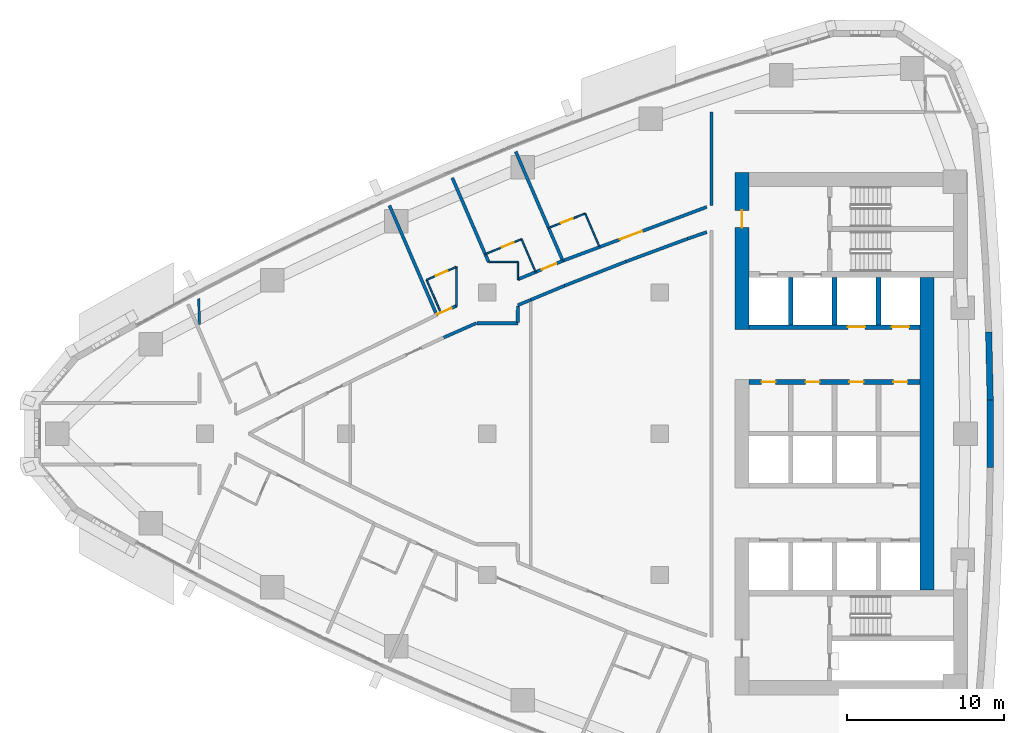
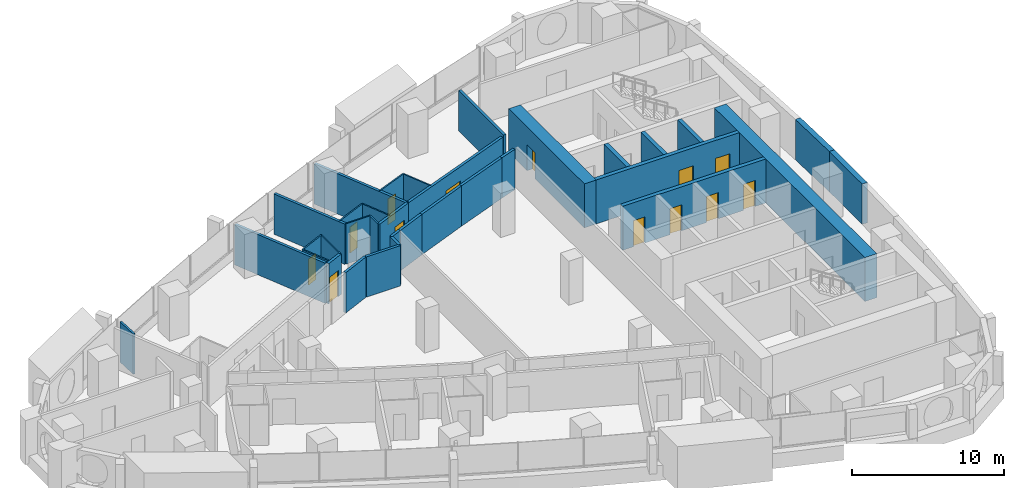
# One storey, part 11 of 17: 34 walls, 13 doors, 13 openings.
"""IFC4 building model written with IfcOpenShell, lengths in metres."""

from ifc_helpers import new_model, si_unit, direction, frame, frame_2d, origin, place, context, subcontext, project, spatial, polyline, rectangle, outline, extrude, material, layer, layer_set, type_object, element, fill, save


model = new_model("IFC4")

# Units and contexts
model_context = context("Model", 3, precision=1e-05, world=origin(), true_north=direction((0.0, 1.0)))
body_context = subcontext(model_context, "Body", "Model", "MODEL_VIEW")
ifc_project = project(units=[si_unit("LENGTHUNIT", "METRE"), si_unit("AREAUNIT", "SQUARE_METRE"), si_unit("VOLUMEUNIT", "CUBIC_METRE"), si_unit("PLANEANGLEUNIT", "RADIAN"), si_unit("MASSUNIT", "GRAM", prefix="KILO")], contexts=[model_context])

# Site, building, storey
site_placement = place(None, origin())
site = spatial("IfcSite", under=ifc_project, at=site_placement, CompositionType="ELEMENT")
building_placement = place(site_placement, origin())
building = spatial("IfcBuilding", under=site, at=building_placement, Name="Ostrand Prow Hotel Tower", CompositionType="ELEMENT")
storey_placement = place(building_placement, frame((0.0, 0.0, 133.75)))
storey = spatial("IfcBuildingStorey", under=building, at=storey_placement, Name="L32", CompositionType="ELEMENT", Elevation=133.75)

# Wall, openings, doors
ifc_material_1 = material(Name="Concrete C70/85", Category="concrete")
ifc_layer_1 = layer(ifc_material_1, 0.300048828125)
ifc_layer_set_1 = layer_set([ifc_layer_1], Name="Concrete C70/85")
wall_type_1 = type_object("IfcWallType", Name="Core wall 300 C70/85", PredefinedType="SHEAR", material=ifc_layer_set_1)
wall_1_placement = place(storey_placement, frame((50.699951171875, 3.300048828125, 0.0), z_axis=(0.0, 0.0, 1.0), x_axis=(1.0, 0.0, 0.0)))
wall_1 = element("IfcWall", 1, at=wall_1_placement, inside=storey, type_object=wall_type_1, Name="Core wall PW-L1-N", PredefinedType="SHEAR", context=body_context, shape_type="SweptSolid", body=[
    extrude(rectangle(XDim=10.900146484375, YDim=0.300048828125, at=frame_2d((5.4501953125, 0.0))), origin(), (0.0, 0.0, 1.0), 3.550048828125),
])
opening_1_placement = place(wall_1_placement, frame((0.800048828125, 0.0, 0.0)))
opening_1 = element("IfcOpeningElement", 2, at=opening_1_placement, cuts=wall_1, Name="Opening FD2", PredefinedType="OPENING", context=body_context, shape_type="SweptSolid", body=[
    extrude(rectangle(XDim=0.89990234375, YDim=2.10009765625, at=frame_2d((0.449951171875, 1.050048828125))), frame((0.0, 0.159912109375, 0.0), z_axis=(0.0, -1.0, 0.0), x_axis=(1.0, 0.0, 0.0)), (0.0, 0.0, 1.0), 0.320068359375),
])
opening_2_placement = place(wall_1_placement, frame((3.60009765625, 0.0, 0.0)))
opening_2 = element("IfcOpeningElement", 3, at=opening_2_placement, cuts=wall_1, Name="Opening FD2", PredefinedType="OPENING", context=body_context, shape_type="SweptSolid", body=[
    extrude(rectangle(XDim=0.89990234375, YDim=2.10009765625, at=frame_2d((0.449951171875, 1.050048828125))), frame((0.0, 0.159912109375, 0.0), z_axis=(0.0, -1.0, 0.0), x_axis=(1.0, 0.0, 0.0)), (0.0, 0.0, 1.0), 0.320068359375),
])
opening_3_placement = place(wall_1_placement, frame((6.39990234375, 0.0, 0.0)))
opening_3 = element("IfcOpeningElement", 4, at=opening_3_placement, cuts=wall_1, Name="Opening FD2", PredefinedType="OPENING", context=body_context, shape_type="SweptSolid", body=[
    extrude(rectangle(XDim=0.89990234375, YDim=2.10009765625, at=frame_2d((0.449951171875, 1.050048828125))), frame((0.0, 0.159912109375, 0.0), z_axis=(0.0, -1.0, 0.0), x_axis=(1.0, 0.0, 0.0)), (0.0, 0.0, 1.0), 0.320068359375),
])
opening_4_placement = place(wall_1_placement, frame((9.199951171875, 0.0, 0.0)))
opening_4 = element("IfcOpeningElement", 5, at=opening_4_placement, cuts=wall_1, Name="Opening FD2", PredefinedType="OPENING", context=body_context, shape_type="SweptSolid", body=[
    extrude(rectangle(XDim=0.89990234375, YDim=2.10009765625, at=frame_2d((0.449951171875, 1.050048828125))), frame((0.0, 0.159912109375, 0.0), z_axis=(0.0, -1.0, 0.0), x_axis=(1.0, 0.0, 0.0)), (0.0, 0.0, 1.0), 0.320068359375),
])
ifc_material_2 = material(Name="Steel fire door", Category="steel")
door_type_1 = type_object("IfcDoorType", Name="Fire door 900 EI120", OperationType="SINGLE_SWING_LEFT", PredefinedType="DOOR", material=ifc_material_2)
door_1_placement = place(opening_1_placement, origin())
door_1 = element("IfcDoor", 6, at=door_1_placement, inside=storey, type_object=door_type_1, Name="DOOR", OperationType="SINGLE_SWING_LEFT", OverallHeight=2.10009765625, OverallWidth=0.89990234375, PredefinedType="DOOR", context=body_context, shape_type="SweptSolid", body=[
    extrude(rectangle(XDim=0.89990234375, YDim=2.10009765625, at=frame_2d((0.449951171875, 1.050048828125))), frame((0.0, 0.02490234375, 0.0), z_axis=(0.0, -1.0, 0.0), x_axis=(1.0, 0.0, 0.0)), (0.0, 0.0, 1.0), 0.050048828125),
])
fill(opening_1, door_1)
door_2_placement = place(opening_2_placement, origin())
door_2 = element("IfcDoor", 7, at=door_2_placement, inside=storey, type_object=door_type_1, Name="DOOR", OperationType="SINGLE_SWING_LEFT", OverallHeight=2.10009765625, OverallWidth=0.89990234375, PredefinedType="DOOR", context=body_context, shape_type="SweptSolid", body=[
    extrude(rectangle(XDim=0.89990234375, YDim=2.10009765625, at=frame_2d((0.449951171875, 1.050048828125))), frame((0.0, 0.02490234375, 0.0), z_axis=(0.0, -1.0, 0.0), x_axis=(1.0, 0.0, 0.0)), (0.0, 0.0, 1.0), 0.050048828125),
])
fill(opening_2, door_2)
door_3_placement = place(opening_3_placement, origin())
door_3 = element("IfcDoor", 8, at=door_3_placement, inside=storey, type_object=door_type_1, Name="DOOR", OperationType="SINGLE_SWING_LEFT", OverallHeight=2.10009765625, OverallWidth=0.89990234375, PredefinedType="DOOR", context=body_context, shape_type="SweptSolid", body=[
    extrude(rectangle(XDim=0.89990234375, YDim=2.10009765625, at=frame_2d((0.449951171875, 1.050048828125))), frame((0.0, 0.02490234375, 0.0), z_axis=(0.0, -1.0, 0.0), x_axis=(1.0, 0.0, 0.0)), (0.0, 0.0, 1.0), 0.050048828125),
])
fill(opening_3, door_3)
door_4_placement = place(opening_4_placement, origin())
door_4 = element("IfcDoor", 9, at=door_4_placement, inside=storey, type_object=door_type_1, Name="DOOR", OperationType="SINGLE_SWING_LEFT", OverallHeight=2.10009765625, OverallWidth=0.89990234375, PredefinedType="DOOR", context=body_context, shape_type="SweptSolid", body=[
    extrude(rectangle(XDim=0.89990234375, YDim=2.10009765625, at=frame_2d((0.449951171875, 1.050048828125))), frame((0.0, 0.02490234375, 0.0), z_axis=(0.0, -1.0, 0.0), x_axis=(1.0, 0.0, 0.0)), (0.0, 0.0, 1.0), 0.050048828125),
])
fill(opening_4, door_4)

wall_2_placement = place(storey_placement, frame((50.699951171875, 6.800048828125, 0.0), z_axis=(0.0, 0.0, 1.0), x_axis=(1.0, 0.0, 0.0)))
wall_2 = element("IfcWall", 10, at=wall_2_placement, inside=storey, type_object=wall_type_1, Name="Core wall PW-L2-N", PredefinedType="SHEAR", context=body_context, shape_type="SweptSolid", body=[
    extrude(rectangle(XDim=10.900146484375, YDim=0.300048828125, at=frame_2d((5.4501953125, 0.0))), origin(), (0.0, 0.0, 1.0), 3.550048828125),
])
opening_5_placement = place(wall_2_placement, frame((6.300048828125, 0.0, 0.0)))
opening_5 = element("IfcOpeningElement", 11, at=opening_5_placement, cuts=wall_2, Name="Opening LD", PredefinedType="OPENING", context=body_context, shape_type="SweptSolid", body=[
    extrude(rectangle(XDim=1.10009765625, YDim=2.10009765625, at=frame_2d((0.550048828125, 1.050048828125))), frame((0.0, 0.159912109375, 0.0), z_axis=(0.0, -1.0, 0.0), x_axis=(1.0, 0.0, 0.0)), (0.0, 0.0, 1.0), 0.320068359375),
])
opening_6_placement = place(wall_2_placement, frame((9.10009765625, 0.0, 0.0)))
opening_6 = element("IfcOpeningElement", 12, at=opening_6_placement, cuts=wall_2, Name="Opening LD", PredefinedType="OPENING", context=body_context, shape_type="SweptSolid", body=[
    extrude(rectangle(XDim=1.10009765625, YDim=2.10009765625, at=frame_2d((0.550048828125, 1.050048828125))), frame((0.0, 0.159912109375, 0.0), z_axis=(0.0, -1.0, 0.0), x_axis=(1.0, 0.0, 0.0)), (0.0, 0.0, 1.0), 0.320068359375),
])
ifc_material_3 = material(Name="Stainless steel door", Category="steel")
door_type_2 = type_object("IfcDoorType", Name="Lift landing door 1100", OperationType="DOUBLE_DOOR_SLIDING", PredefinedType="DOOR", material=ifc_material_3)
door_5_placement = place(opening_5_placement, origin())
door_5 = element("IfcDoor", 13, at=door_5_placement, inside=storey, type_object=door_type_2, Name="LIFT LANDING DOOR", OperationType="DOUBLE_DOOR_SLIDING", OverallHeight=2.10009765625, OverallWidth=1.10009765625, PredefinedType="DOOR", context=body_context, shape_type="SweptSolid", body=[
    extrude(rectangle(XDim=1.10009765625, YDim=2.10009765625, at=frame_2d((0.550048828125, 1.050048828125))), frame((0.0, 0.02490234375, 0.0), z_axis=(0.0, -1.0, 0.0), x_axis=(1.0, 0.0, 0.0)), (0.0, 0.0, 1.0), 0.050048828125),
])
fill(opening_5, door_5)
door_6_placement = place(opening_6_placement, origin())
door_6 = element("IfcDoor", 14, at=door_6_placement, inside=storey, type_object=door_type_2, Name="LIFT LANDING DOOR", OperationType="DOUBLE_DOOR_SLIDING", OverallHeight=2.10009765625, OverallWidth=1.10009765625, PredefinedType="DOOR", context=body_context, shape_type="SweptSolid", body=[
    extrude(rectangle(XDim=1.10009765625, YDim=2.10009765625, at=frame_2d((0.550048828125, 1.050048828125))), frame((0.0, 0.02490234375, 0.0), z_axis=(0.0, -1.0, 0.0), x_axis=(1.0, 0.0, 0.0)), (0.0, 0.0, 1.0), 0.050048828125),
])
fill(opening_6, door_6)

# Walls
for number, where, z_axis, x_axis, name in (
    (15, (53.35009765625, 6.949951171875, 0.0), (0.0, 0.0, 1.0), (0.0, 1.0, 0.0), "Core wall PW-R1-NA"),
    (16, (56.14990234375, 6.949951171875, 0.0), (0.0, 0.0, 1.0), (0.0, 1.0, 0.0), "Core wall PW-R2-NA"),
    (17, (58.949951171875, 6.949951171875, 0.0), (0.0, 0.0, 1.0), (0.0, 1.0, 0.0), "Core wall PW-R3-NA"),
):
    element("IfcWall", number, at=place(storey_placement, frame(where, z_axis=z_axis, x_axis=x_axis)), inside=storey, type_object=wall_type_1, Name=name, PredefinedType="SHEAR", context=body_context, shape_type="SweptSolid", body=[
        extrude(rectangle(XDim=3.0, YDim=0.300048828125, at=frame_2d((1.5, 0.0))), origin(), (0.0, 0.0, 1.0), 3.550048828125),
    ])

# Wall, opening, door
ifc_material_4 = material(Name="Concrete C70/85", Category="concrete")
ifc_layer_2 = layer(ifc_material_4, 0.89990234375)
ifc_layer_set_2 = layer_set([ifc_layer_2], Name="Concrete C70/85")
wall_type_2 = type_object("IfcWallType", Name="Core wall 900 C70/85", PredefinedType="SHEAR", material=ifc_layer_set_2)
wall_3_placement = place(storey_placement, frame((50.25, 6.64990234375, 0.0), z_axis=(0.0, 0.0, 1.0), x_axis=(0.0, 1.0, 0.0)))
wall_3 = element("IfcWall", 18, at=wall_3_placement, inside=storey, type_object=wall_type_2, Name="Core wall CW-W-N", PredefinedType="SHEAR", context=body_context, shape_type="SweptSolid", body=[
    extrude(rectangle(XDim=10.0, YDim=0.89990234375, at=frame_2d((5.0, 0.0))), origin(), (0.0, 0.0, 1.0), 3.550048828125),
])
opening_7_placement = place(wall_3_placement, frame((6.5, 0.0, 0.0)))
opening_7 = element("IfcOpeningElement", 19, at=opening_7_placement, cuts=wall_3, Name="Opening FD1", PredefinedType="OPENING", context=body_context, shape_type="SweptSolid", body=[
    extrude(rectangle(XDim=1.10009765625, YDim=2.10009765625, at=frame_2d((0.550048828125, 1.050048828125))), frame((0.0, 0.4599609375, 0.0), z_axis=(0.0, -1.0, 0.0), x_axis=(1.0, 0.0, 0.0)), (0.0, 0.0, 1.0), 0.919921875),
])
ifc_material_5 = material(Name="Steel fire door", Category="steel")
door_type_3 = type_object("IfcDoorType", Name="Fire door 1100 EI120", OperationType="SINGLE_SWING_RIGHT", PredefinedType="DOOR", material=ifc_material_5)
door_7_placement = place(opening_7_placement, origin())
door_7 = element("IfcDoor", 20, at=door_7_placement, inside=storey, type_object=door_type_3, Name="FIRE DOOR", OperationType="SINGLE_SWING_RIGHT", OverallHeight=2.10009765625, OverallWidth=1.10009765625, PredefinedType="DOOR", context=body_context, shape_type="SweptSolid", body=[
    extrude(rectangle(XDim=1.10009765625, YDim=2.10009765625, at=frame_2d((0.550048828125, 1.050048828125))), frame((0.0, 0.02490234375, 0.0), z_axis=(0.0, -1.0, 0.0), x_axis=(1.0, 0.0, 0.0)), (0.0, 0.0, 1.0), 0.050048828125),
])
fill(opening_7, door_7)

# Wall
wall_4_placement = place(storey_placement, frame((62.050048828125, -9.949951171875, 0.0), z_axis=(0.0, 0.0, 1.0), x_axis=(0.0, 1.0, 0.0)))
element("IfcWall", 21, at=wall_4_placement, inside=storey, type_object=wall_type_2, Name="Core wall CW-E-C", PredefinedType="SHEAR", context=body_context, shape_type="SweptSolid", body=[
    extrude(rectangle(XDim=19.89990234375, YDim=0.89990234375, at=frame_2d((9.949951171875, 0.0))), origin(), (0.0, 0.0, 1.0), 3.550048828125),
])

# Wall, opening, door
ifc_material_6 = material(Name="Plasterboard partition")
ifc_layer_3 = layer(ifc_material_6, 0.10009765625)
ifc_layer_set_3 = layer_set([ifc_layer_3], Name="Plasterboard partition")
wall_type_3 = type_object("IfcWallType", Name="Partition 100 bathroom wall", PredefinedType="PARTITIONING", material=ifc_layer_set_3)
wall_5_placement = place(storey_placement, frame((30.144287109375, 9.80859375, 0.0), z_axis=(0.0, 0.0, 1.0), x_axis=(0.915122534717, 0.40317582573, 0.0)))
wall_5 = element("IfcWall", 22, at=wall_5_placement, inside=storey, type_object=wall_type_3, Name="BATHROOM WALL", PredefinedType="PARTITIONING", context=body_context, shape_type="SweptSolid", body=[
    extrude(rectangle(XDim=2.058349609375, YDim=0.10009765625, at=frame_2d((1.029296875, 0.0))), origin(), (0.0, 0.0, 1.0), 3.25),
])
opening_8_placement = place(wall_5_placement, frame((0.64990234375, 0.0, 0.0)))
opening_8 = element("IfcOpeningElement", 23, at=opening_8_placement, cuts=wall_5, Name="Opening D2", PredefinedType="OPENING", context=body_context, shape_type="SweptSolid", body=[
    extrude(rectangle(XDim=0.800048828125, YDim=2.10009765625, at=frame_2d((0.39990234375, 1.050048828125))), frame((0.0, 0.06005859375, 0.0), z_axis=(0.0, -1.0, 0.0), x_axis=(1.0, 0.0, 0.0)), (0.0, 0.0, 1.0), 0.1201171875),
])
ifc_material_7 = material(Name="Timber door leaf", Category="wood")
door_type_4 = type_object("IfcDoorType", Name="Bathroom door 800", OperationType="SINGLE_SWING_LEFT", PredefinedType="DOOR", material=ifc_material_7)
door_8_placement = place(opening_8_placement, origin())
door_8 = element("IfcDoor", 24, at=door_8_placement, inside=storey, type_object=door_type_4, Name="DOOR", OperationType="SINGLE_SWING_LEFT", OverallHeight=2.10009765625, OverallWidth=0.800048828125, PredefinedType="DOOR", context=body_context, shape_type="SweptSolid", body=[
    extrude(rectangle(XDim=0.800048828125, YDim=2.10009765625, at=frame_2d((0.39990234375, 1.050048828125))), frame((0.0, 0.02490234375, 0.0), z_axis=(0.0, -1.0, 0.0), x_axis=(1.0, 0.0, 0.0)), (0.0, 0.0, 1.0), 0.050048828125),
])
fill(opening_8, door_8)

# Wall
wall_6_placement = place(storey_placement, frame((30.990478515625, 7.84619140625, 0.0), z_axis=(0.0, 0.0, 1.0), x_axis=(-0.396055229638, 0.918226690462, 0.0)))
element("IfcWall", 25, at=wall_6_placement, inside=storey, type_object=wall_type_3, Name="BATHROOM WALL", PredefinedType="PARTITIONING", context=body_context, shape_type="SweptSolid", body=[
    extrude(rectangle(XDim=2.13720703125, YDim=0.10009765625, at=frame_2d((1.068603515625, 0.0))), origin(), (0.0, 0.0, 1.0), 3.25),
])

# Wall, opening, door
wall_7_placement = place(storey_placement, frame((33.87744140625, 11.4462890625, 0.0), z_axis=(0.0, 0.0, 1.0), x_axis=(0.923033583854, 0.384719382248, 0.0)))
wall_7 = element("IfcWall", 26, at=wall_7_placement, inside=storey, type_object=wall_type_3, Name="BATHROOM WALL", PredefinedType="PARTITIONING", context=body_context, shape_type="SweptSolid", body=[
    extrude(rectangle(XDim=2.500244140625, YDim=0.10009765625, at=frame_2d((1.25, 0.0))), origin(), (0.0, 0.0, 1.0), 3.25),
])
opening_9_placement = place(wall_7_placement, frame((1.14990234375, 0.0, 0.0)))
opening_9 = element("IfcOpeningElement", 27, at=opening_9_placement, cuts=wall_7, Name="Opening D2", PredefinedType="OPENING", context=body_context, shape_type="SweptSolid", body=[
    extrude(rectangle(XDim=0.800048828125, YDim=2.10009765625, at=frame_2d((0.39990234375, 1.050048828125))), frame((0.0, 0.06005859375, 0.0), z_axis=(0.0, -1.0, 0.0), x_axis=(1.0, 0.0, 0.0)), (0.0, 0.0, 1.0), 0.1201171875),
])
door_9_placement = place(opening_9_placement, origin())
door_9 = element("IfcDoor", 28, at=door_9_placement, inside=storey, type_object=door_type_4, Name="DOOR", OperationType="SINGLE_SWING_LEFT", OverallHeight=2.10009765625, OverallWidth=0.800048828125, PredefinedType="DOOR", context=body_context, shape_type="SweptSolid", body=[
    extrude(rectangle(XDim=0.800048828125, YDim=2.10009765625, at=frame_2d((0.39990234375, 1.050048828125))), frame((0.0, 0.02490234375, 0.0), z_axis=(0.0, -1.0, 0.0), x_axis=(1.0, 0.0, 0.0)), (0.0, 0.0, 1.0), 0.050048828125),
])
fill(opening_9, door_9)

# Wall
wall_8_placement = place(storey_placement, frame((36.185302734375, 12.408203125, 0.0), z_axis=(0.0, 0.0, 1.0), x_axis=(0.395936907069, -0.918277717045, 0.0)))
element("IfcWall", 29, at=wall_8_placement, inside=storey, type_object=wall_type_3, Name="BATHROOM WALL", PredefinedType="PARTITIONING", context=body_context, shape_type="SweptSolid", body=[
    extrude(rectangle(XDim=2.277099609375, YDim=0.10009765625, at=frame_2d((1.138671875, 0.0))), origin(), (0.0, 0.0, 1.0), 3.25),
])

# Wall, opening, door
wall_9_placement = place(storey_placement, frame((37.921142578125, 13.122314453125, 0.0), z_axis=(0.0, 0.0, 1.0), x_axis=(0.930555592459, 0.366150637503, 0.0)))
wall_9 = element("IfcWall", 30, at=wall_9_placement, inside=storey, type_object=wall_type_3, Name="BATHROOM WALL", PredefinedType="PARTITIONING", context=body_context, shape_type="SweptSolid", body=[
    extrude(rectangle(XDim=2.5009765625, YDim=0.10009765625, at=frame_2d((1.25048828125, 0.0))), origin(), (0.0, 0.0, 1.0), 3.25),
])
opening_10_placement = place(wall_9_placement, frame((0.85009765625, 0.0, 0.0)))
opening_10 = element("IfcOpeningElement", 31, at=opening_10_placement, cuts=wall_9, Name="Opening D2", PredefinedType="OPENING", context=body_context, shape_type="SweptSolid", body=[
    extrude(rectangle(XDim=0.800048828125, YDim=2.10009765625, at=frame_2d((0.39990234375, 1.050048828125))), frame((0.0, 0.06005859375, 0.0), z_axis=(0.0, -1.0, 0.0), x_axis=(1.0, 0.0, 0.0)), (0.0, 0.0, 1.0), 0.1201171875),
])
door_10_placement = place(opening_10_placement, origin())
door_10 = element("IfcDoor", 32, at=door_10_placement, inside=storey, type_object=door_type_4, Name="DOOR", OperationType="SINGLE_SWING_LEFT", OverallHeight=2.10009765625, OverallWidth=0.800048828125, PredefinedType="DOOR", context=body_context, shape_type="SweptSolid", body=[
    extrude(rectangle(XDim=0.800048828125, YDim=2.10009765625, at=frame_2d((0.39990234375, 1.050048828125))), frame((0.0, 0.02490234375, 0.0), z_axis=(0.0, -1.0, 0.0), x_axis=(1.0, 0.0, 0.0)), (0.0, 0.0, 1.0), 0.050048828125),
])
fill(opening_10, door_10)

# Walls
wall_10_placement = place(storey_placement, frame((40.248779296875, 14.0380859375, 0.0), z_axis=(0.0, 0.0, 1.0), x_axis=(0.39596178423, -0.918266990275, 0.0)))
element("IfcWall", 33, at=wall_10_placement, inside=storey, type_object=wall_type_3, Name="BATHROOM WALL", PredefinedType="PARTITIONING", context=body_context, shape_type="SweptSolid", body=[
    extrude(rectangle(XDim=2.2783203125, YDim=0.10009765625, at=frame_2d((1.13916015625, 0.0))), origin(), (0.0, 0.0, 1.0), 3.25),
])
wall_11_placement = place(storey_placement, frame((32.044921875, 10.6611328125, 0.0), z_axis=(0.0, 0.0, 1.0), x_axis=(0.0, -1.0, 0.0)))
element("IfcWall", 34, at=wall_11_placement, inside=storey, type_object=wall_type_3, Name="BATHROOM WALL", PredefinedType="PARTITIONING", context=body_context, shape_type="SweptSolid", body=[
    extrude(rectangle(XDim=2.52294921875, YDim=0.10009765625, at=frame_2d((1.261474609375, 0.0))), origin(), (0.0, 0.0, 1.0), 3.25),
])
wall_12_placement = place(storey_placement, frame((35.95703125, 9.82666015625, 0.0), z_axis=(0.0, 0.0, 1.0), x_axis=(-0.003465432949, 0.999993995369, 0.0)))
element("IfcWall", 35, at=wall_12_placement, inside=storey, type_object=wall_type_3, Name="BATHROOM WALL", PredefinedType="PARTITIONING", context=body_context, shape_type="SweptSolid", body=[
    extrude(rectangle(XDim=1.127197265625, YDim=0.10009765625, at=frame_2d((0.5634765625, 0.0))), origin(), (0.0, 0.0, 1.0), 3.25),
])
wall_13_placement = place(storey_placement, frame((35.953125, 10.953857421875, 0.0), z_axis=(0.0, 0.0, 1.0), x_axis=(-0.999999785511, 0.000654964491, 0.0)))
element("IfcWall", 36, at=wall_13_placement, inside=storey, type_object=wall_type_3, Name="BATHROOM WALL", PredefinedType="PARTITIONING", context=body_context, shape_type="SweptSolid", body=[
    extrude(rectangle(XDim=1.86376953125, YDim=0.10009765625, at=frame_2d((0.931884765625, 0.0))), origin(), (0.0, 0.0, 1.0), 3.25),
])
ifc_material_8 = material(Name="Plasterboard partition")
ifc_layer_4 = layer(ifc_material_8, 0.14990234375)
ifc_layer_set_4 = layer_set([ifc_layer_4], Name="Plasterboard partition")
wall_type_4 = type_object("IfcWallType", Name="Partition 150 room partition", PredefinedType="PARTITIONING", material=ifc_layer_set_4)
wall_14_placement = place(storey_placement, frame((15.603759765625, 8.60888671875, 0.0), z_axis=(0.0, 0.0, 1.0), x_axis=(0.033196927484, -0.999448830109, 0.0)))
element("IfcWall", 37, at=wall_14_placement, inside=storey, type_object=wall_type_4, Name="ROOM PARTITION", PredefinedType="PARTITIONING", context=body_context, shape_type="SweptSolid", body=[
    extrude(rectangle(XDim=1.65478515625, YDim=0.14990234375, at=frame_2d((0.827392578125, 0.0))), origin(), (0.0, 0.0, 1.0), 3.25),
])

# Wall, opening, door
ifc_material_9 = material(Name="Plasterboard partition")
ifc_layer_5 = layer(ifc_material_9, 0.199951171875)
ifc_layer_set_5 = layer_set([ifc_layer_5], Name="Plasterboard partition")
wall_type_5 = type_object("IfcWallType", Name="Partition 200 corridor wall", PredefinedType="PARTITIONING", material=ifc_layer_set_5)
wall_15_placement = place(storey_placement, frame((32.050048828125, 8.15673828125, 0.0), z_axis=(0.0, 0.0, 1.0), x_axis=(-0.915155082005, -0.403101942293, 0.0)))
wall_15 = element("IfcWall", 38, at=wall_15_placement, inside=storey, type_object=wall_type_5, Name="CORRIDOR WALL", PredefinedType="PARTITIONING", context=body_context, shape_type="SweptSolid", body=[
    extrude(rectangle(XDim=1.39599609375, YDim=0.199951171875, at=frame_2d((0.697998046875, 0.0))), origin(), (0.0, 0.0, 1.0), 3.25),
])
opening_11_placement = place(wall_15_placement, frame((0.345947265625, 0.0, 0.0)))
opening_11 = element("IfcOpeningElement", 39, at=opening_11_placement, cuts=wall_15, Name="Opening D1R", PredefinedType="OPENING", context=body_context, shape_type="SweptSolid", body=[
    extrude(rectangle(XDim=1.0, YDim=2.10009765625, at=frame_2d((0.5, 1.050048828125))), frame((0.0, 0.10986328125, 0.0), z_axis=(0.0, -1.0, 0.0), x_axis=(1.0, 0.0, 0.0)), (0.0, 0.0, 1.0), 0.219970703125),
])
ifc_material_10 = material(Name="Timber door leaf", Category="wood")
door_type_5 = type_object("IfcDoorType", Name="Guest room door 1000 right", OperationType="SINGLE_SWING_RIGHT", PredefinedType="DOOR", material=ifc_material_10)
door_11_placement = place(opening_11_placement, origin())
door_11 = element("IfcDoor", 40, at=door_11_placement, inside=storey, type_object=door_type_5, Name="DOOR", OperationType="SINGLE_SWING_RIGHT", OverallHeight=2.10009765625, OverallWidth=1.0, PredefinedType="DOOR", context=body_context, shape_type="SweptSolid", body=[
    extrude(rectangle(XDim=1.0, YDim=2.10009765625, at=frame_2d((0.5, 1.050048828125))), frame((0.0, 0.02490234375, 0.0), z_axis=(0.0, -1.0, 0.0), x_axis=(1.0, 0.0, 0.0)), (0.0, 0.0, 1.0), 0.050048828125),
])
fill(opening_11, door_11)

wall_16_placement = place(storey_placement, frame((38.824462890625, 11.027587890625, 0.0), z_axis=(0.0, 0.0, 1.0), x_axis=(-0.924238544028, -0.381815549359, 0.0)))
wall_16 = element("IfcWall", 41, at=wall_16_placement, inside=storey, type_object=wall_type_5, Name="CORRIDOR WALL", PredefinedType="PARTITIONING", context=body_context, shape_type="SweptSolid", body=[
    extrude(rectangle(XDim=3.110107421875, YDim=0.199951171875, at=frame_2d((1.55517578125, 0.0))), origin(), (0.0, 0.0, 1.0), 3.25),
])
opening_12_placement = place(wall_16_placement, frame((0.449951171875, 0.0, 0.0)))
opening_12 = element("IfcOpeningElement", 42, at=opening_12_placement, cuts=wall_16, Name="Opening D1R", PredefinedType="OPENING", context=body_context, shape_type="SweptSolid", body=[
    extrude(rectangle(XDim=1.0, YDim=2.10009765625, at=frame_2d((0.5, 1.050048828125))), frame((0.0, 0.10986328125, 0.0), z_axis=(0.0, -1.0, 0.0), x_axis=(1.0, 0.0, 0.0)), (0.0, 0.0, 1.0), 0.219970703125),
])
door_12_placement = place(opening_12_placement, origin())
door_12 = element("IfcDoor", 43, at=door_12_placement, inside=storey, type_object=door_type_5, Name="DOOR", OperationType="SINGLE_SWING_RIGHT", OverallHeight=2.10009765625, OverallWidth=1.0, PredefinedType="DOOR", context=body_context, shape_type="SweptSolid", body=[
    extrude(rectangle(XDim=1.0, YDim=2.10009765625, at=frame_2d((0.5, 1.050048828125))), frame((0.0, 0.02490234375, 0.0), z_axis=(0.0, -1.0, 0.0), x_axis=(1.0, 0.0, 0.0)), (0.0, 0.0, 1.0), 0.050048828125),
])
fill(opening_12, door_12)

# Walls
wall_17_placement = place(storey_placement, frame((31.231201171875, 6.135009765625, 0.0), z_axis=(0.0, 0.0, 1.0), x_axis=(0.915102334452, 0.403221672881, 0.0)))
element("IfcWall", 44, at=wall_17_placement, inside=storey, type_object=wall_type_5, Name="CORRIDOR WALL", PredefinedType="PARTITIONING", context=body_context, shape_type="SweptSolid", body=[
    extrude(rectangle(XDim=2.269287109375, YDim=0.199951171875, at=frame_2d((1.134765625, 0.0))), origin(), (0.0, 0.0, 1.0), 3.25),
])
wall_18_placement = place(storey_placement, frame((35.949951171875, 8.193115234375, 0.0), z_axis=(0.0, 0.0, 1.0), x_axis=(0.922997009646, 0.384807120756, 0.0)))
element("IfcWall", 45, at=wall_18_placement, inside=storey, type_object=wall_type_5, Name="CORRIDOR WALL", PredefinedType="PARTITIONING", context=body_context, shape_type="SweptSolid", body=[
    extrude(rectangle(XDim=0.904052734375, YDim=0.199951171875, at=frame_2d((0.4521484375, 0.0))), origin(), (0.0, 0.0, 1.0), 3.25),
])
for number, where, z_axis, x_axis, name in (
    (46, (38.943115234375, 9.44091796875, 0.0), (0.0, 0.0, 1.0), (0.930576677263, 0.36609704688, 0.0), "CORRIDOR WALL"),
    (47, (42.84716796875, 10.976806640625, 0.0), (0.0, 0.0, 1.0), (0.937732614305, 0.347357948044, 0.0), "CORRIDOR WALL"),
):
    element("IfcWall", number, at=place(storey_placement, frame(where, z_axis=z_axis, x_axis=x_axis)), inside=storey, type_object=wall_type_5, Name=name, PredefinedType="PARTITIONING", context=body_context, shape_type="SweptSolid", body=[
        extrude(rectangle(XDim=4.1953125, YDim=0.199951171875, at=frame_2d((2.09765625, 0.0))), origin(), (0.0, 0.0, 1.0), 3.25),
    ])
wall_19_placement = place(storey_placement, frame((36.784423828125, 8.541015625, 0.0), z_axis=(0.0, 0.0, 1.0), x_axis=(0.923008963065, 0.384778448073, 0.0)))
element("IfcWall", 48, at=wall_19_placement, inside=storey, type_object=wall_type_5, Name="CORRIDOR WALL", PredefinedType="PARTITIONING", context=body_context, shape_type="SweptSolid", body=[
    extrude(rectangle(XDim=2.3388671875, YDim=0.199951171875, at=frame_2d((1.16943359375, 0.0))), origin(), (0.0, 0.0, 1.0), 3.25),
])

# Wall, opening, door
wall_20_placement = place(storey_placement, frame((48.0, 14.459228515625, 0.0), z_axis=(0.0, 0.0, 1.0), x_axis=(-0.936637096294, -0.350301227297, 0.0)))
wall_20 = element("IfcWall", 49, at=wall_20_placement, inside=storey, type_object=wall_type_5, Name="CORRIDOR WALL", PredefinedType="PARTITIONING", context=body_context, shape_type="SweptSolid", body=[
    extrude(rectangle(XDim=9.796142578125, YDim=0.199951171875, at=frame_2d((4.89794921875, 0.0))), origin(), (0.0, 0.0, 1.0), 3.25),
])
opening_13_placement = place(wall_20_placement, frame((4.39794921875, 0.0, 0.0)))
opening_13 = element("IfcOpeningElement", 50, at=opening_13_placement, cuts=wall_20, Name="Opening D15", PredefinedType="OPENING", context=body_context, shape_type="SweptSolid", body=[
    extrude(rectangle(XDim=1.5, YDim=2.10009765625, at=frame_2d((0.75, 1.050048828125))), frame((0.0, 0.10986328125, 0.0), z_axis=(0.0, -1.0, 0.0), x_axis=(1.0, 0.0, 0.0)), (0.0, 0.0, 1.0), 0.219970703125),
])
ifc_material_11 = material(Name="Timber door leaf", Category="wood")
door_type_6 = type_object("IfcDoorType", Name="Double door 1500", OperationType="DOUBLE_DOOR_SINGLE_SWING", PredefinedType="DOOR", material=ifc_material_11)
door_13_placement = place(opening_13_placement, origin())
door_13 = element("IfcDoor", 51, at=door_13_placement, inside=storey, type_object=door_type_6, Name="DOOR", OperationType="DOUBLE_DOOR_SINGLE_SWING", OverallHeight=2.10009765625, OverallWidth=1.5, PredefinedType="DOOR", context=body_context, shape_type="SweptSolid", body=[
    extrude(rectangle(XDim=1.5, YDim=2.10009765625, at=frame_2d((0.75, 1.050048828125))), frame((0.0, 0.02490234375, 0.0), z_axis=(0.0, -1.0, 0.0), x_axis=(1.0, 0.0, 0.0)), (0.0, 0.0, 1.0), 0.050048828125),
])
fill(opening_13, door_13)

# Walls
wall_21_placement = place(storey_placement, frame((46.78125, 12.43408203125, 0.0), z_axis=(0.0, 0.0, 1.0), x_axis=(0.944517215109, 0.328461916152, 0.0)))
element("IfcWall", 52, at=wall_21_placement, inside=storey, type_object=wall_type_5, Name="CORRIDOR WALL", PredefinedType="PARTITIONING", context=body_context, shape_type="SweptSolid", body=[
    extrude(rectangle(XDim=1.290283203125, YDim=0.199951171875, at=frame_2d((0.64501953125, 0.0))), origin(), (0.0, 0.0, 1.0), 3.25),
])
wall_22_placement = place(storey_placement, frame((33.347412109375, 7.044921875, 0.0), z_axis=(0.0, 0.0, 1.0), x_axis=(0.999999982426, 0.000187476562, 0.0)))
element("IfcWall", 53, at=wall_22_placement, inside=storey, type_object=wall_type_5, Name="CORRIDOR WALL", PredefinedType="PARTITIONING", context=body_context, shape_type="SweptSolid", body=[
    extrude(rectangle(XDim=2.6044921875, YDim=0.199951171875, at=frame_2d((1.30224609375, 0.0))), origin(), (0.0, 0.0, 1.0), 3.25),
])
wall_23_placement = place(storey_placement, frame((35.951904296875, 7.08544921875, 0.0), z_axis=(0.0, 0.0, 1.0), x_axis=(0.002742846825, 0.999996238389, 0.0)))
element("IfcWall", 54, at=wall_23_placement, inside=storey, type_object=wall_type_5, Name="CORRIDOR WALL", PredefinedType="PARTITIONING", context=body_context, shape_type="SweptSolid", body=[
    extrude(rectangle(XDim=1.068115234375, YDim=0.199951171875, at=frame_2d((0.5341796875, 0.0))), origin(), (0.0, 0.0, 1.0), 3.25),
])
wall_24_placement = place(storey_placement, frame((48.295166015625, 20.5009765625, 0.0), z_axis=(0.0, 0.0, 1.0), x_axis=(-4.1050903e-05, -0.999999999157, 0.0)))
element("IfcWall", 55, at=wall_24_placement, inside=storey, type_object=wall_type_5, Name="CORRIDOR WALL", PredefinedType="PARTITIONING", context=body_context, shape_type="SweptSolid", body=[
    extrude(rectangle(XDim=5.947265625, YDim=0.199951171875, at=frame_2d((2.9736328125, 0.0))), origin(), (0.0, 0.0, 1.0), 3.25),
])
ifc_material_12 = material(Name="Plasterboard partition")
ifc_layer_6 = layer(ifc_material_12, 0.199951171875)
ifc_layer_set_6 = layer_set([ifc_layer_6], Name="Plasterboard partition")
wall_type_6 = type_object("IfcWallType", Name="Partition 200 key partition", PredefinedType="PARTITIONING", material=ifc_layer_set_6)
wall_25_placement = place(storey_placement, frame((30.717041015625, 7.722412109375, 0.0), z_axis=(0.0, 0.0, 1.0), x_axis=(-0.395993466394, 0.918253328104, 0.0)))
element("IfcWall", 56, at=wall_25_placement, inside=storey, type_object=wall_type_6, Name="KEY PARTITION", PredefinedType="PARTITIONING", context=body_context, shape_type="SweptSolid", body=[
    extrude(rectangle(XDim=7.440185546875, YDim=0.199951171875, at=frame_2d((3.72021484375, 0.0))), origin(), (0.0, 0.0, 1.0), 3.25),
])
wall_26_placement = place(storey_placement, frame((34.091552734375, 10.949951171875, 0.0), z_axis=(0.0, 0.0, 1.0), x_axis=(-0.395991607501, 0.918254129742, 0.0)))
element("IfcWall", 57, at=wall_26_placement, inside=storey, type_object=wall_type_6, Name="KEY PARTITION", PredefinedType="PARTITIONING", context=body_context, shape_type="SweptSolid", body=[
    extrude(rectangle(XDim=5.841064453125, YDim=0.199951171875, at=frame_2d((2.92041015625, 0.0))), origin(), (0.0, 0.0, 1.0), 3.25),
])
wall_27_placement = place(storey_placement, frame((38.832275390625, 11.00927734375, 0.0), z_axis=(0.0, 0.0, 1.0), x_axis=(-0.395987603644, 0.918255856371, 0.0)))
element("IfcWall", 58, at=wall_27_placement, inside=storey, type_object=wall_type_6, Name="KEY PARTITION", PredefinedType="PARTITIONING", context=body_context, shape_type="SweptSolid", body=[
    extrude(rectangle(XDim=7.603759765625, YDim=0.199951171875, at=frame_2d((3.8017578125, 0.0))), origin(), (0.0, 0.0, 1.0), 3.25),
])
ifc_material_13 = material(Name="Precast concrete C40/50", Category="concrete")
ifc_layer_7 = layer(ifc_material_13, 0.39990234375)
ifc_layer_set_7 = layer_set([ifc_layer_7], Name="Precast concrete C40/50")
wall_type_7 = type_object("IfcWallType", Name="Stone-faced precast wall 400 mm", PredefinedType="NOTDEFINED", material=ifc_layer_set_7)
wall_28_placement = place(storey_placement, frame((66.07568359375, -2.16455078125, 0.0), z_axis=(0.0, 0.0, 1.0), x_axis=(0.0, 1.0, 0.0)))
element("IfcWall", 59, at=wall_28_placement, inside=storey, type_object=wall_type_7, Name="Stone-faced wall back 9", PredefinedType="NOTDEFINED", context=body_context, shape_type="SweptSolid", body=[
    extrude(outline(polyline([(-0.002197265625, -0.199951171875), (4.331298828125, -0.199951171875), (4.326904296875, 0.199951171875), (0.002197265625, 0.199951171875), (-0.002197265625, -0.199951171875)])), origin(), (0.0, 0.0, 1.0), 3.25),
])
wall_29_placement = place(storey_placement, frame((66.07568359375, 2.16455078125, 0.0), z_axis=(0.0, 0.0, 1.0), x_axis=(-0.02261635063, 0.99974421763, 0.0)))
element("IfcWall", 60, at=wall_29_placement, inside=storey, type_object=wall_type_7, Name="Stone-faced wall back 10", PredefinedType="NOTDEFINED", context=body_context, shape_type="SweptSolid", body=[
    extrude(outline(polyline([(-0.002197265625, -0.199951171875), (4.3310546875, -0.199951171875), (4.32666015625, 0.199951171875), (0.002197265625, 0.199951171875), (-0.002197265625, -0.199951171875)])), origin(), (0.0, 0.0, 1.0), 3.25),
])

save(model, "model.ifc")
